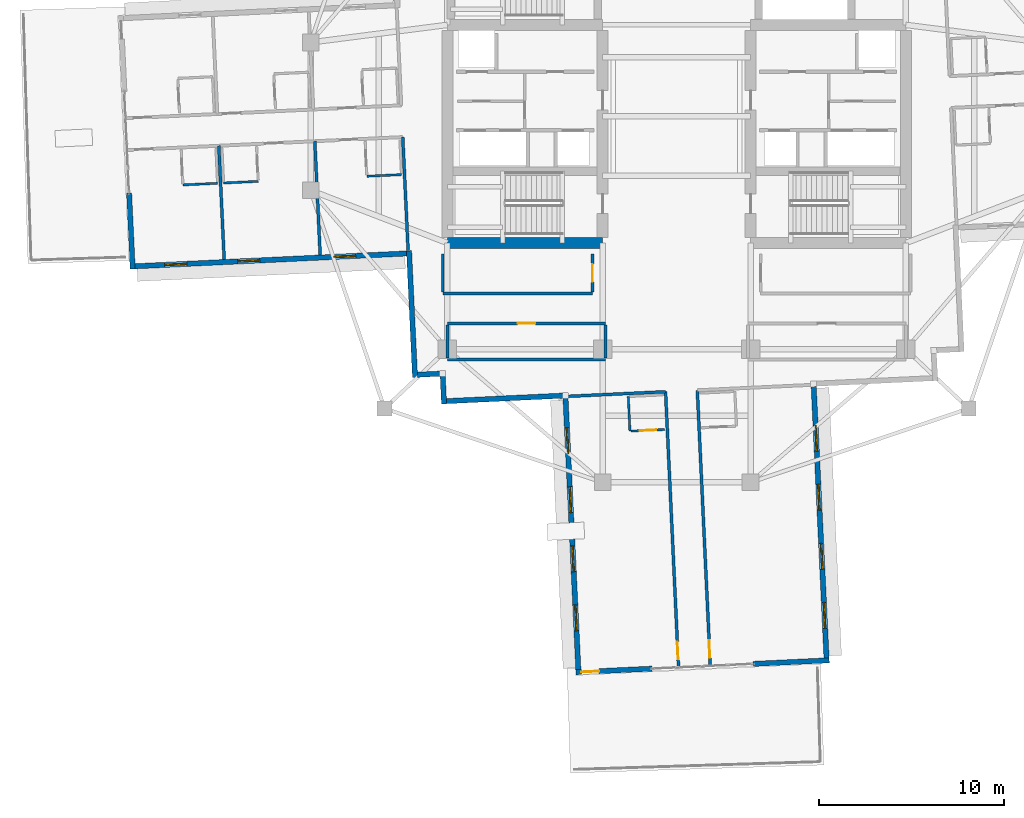
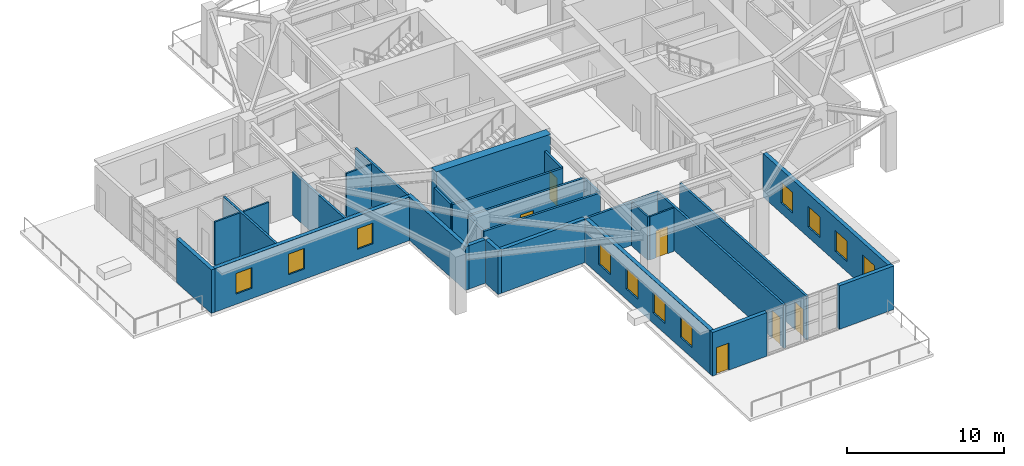
# One storey, part 11 of 22: 29 walls, 11 windows, 6 doors, 17 openings.
"""IFC4 building model written with IfcOpenShell, lengths in metres."""

import ifcopenshell
import ifcopenshell.guid

model = None  # the IFC model being written
_history = None  # IfcOwnerHistory: only IFC2X3 demands one
_inside = {}  # id of a spatial element -> (the spatial element, [elements in it])
_under = {}  # id of a project, library or spatial element -> (it, [spatial elements below it])
_declared = {}  # id of a project -> (the project, [libraries it declares])
_typed = {}  # id of a type object -> (the type object, [elements of that type])
_made_of = {}  # id of a material, layer set ... -> (it, [elements and type objects made of it])


def new_model(schema):
    """Start an empty IFC model of exactly this schema.

    Asked for "IFC4X3", IfcOpenShell would pick the latest addendum, in which some entities
    have other attributes; the version numbers below select the first issue.
    IFC2X3 requires an IfcOwnerHistory on every rooted entity: one is made here for all.
    """
    global model, _history
    if schema == "IFC4X3":
        model = ifcopenshell.file(schema_version=(4, 3, 0, 0))
    else:
        model = ifcopenshell.file(schema=schema)
    _inside.clear()
    _under.clear()
    _declared.clear()
    _typed.clear()
    _made_of.clear()
    _history = None
    if model.schema == "IFC2X3":
        org = make("IfcOrganization", Name="unknown")
        user = make(
            "IfcPersonAndOrganization",
            ThePerson=make("IfcPerson", FamilyName="unknown"),
            TheOrganization=org,
        )
        app = make(
            "IfcApplication",
            ApplicationDeveloper=org,
            Version="unknown",
            ApplicationFullName="unknown",
            ApplicationIdentifier="unknown",
        )
        _history = make(
            "IfcOwnerHistory",
            OwningUser=user,
            OwningApplication=app,
            ChangeAction="ADDED",
            CreationDate=0,
        )
    return model


def make(cls, **values):
    """One entity of the class cls with the attributes given. An attribute that is None is left unset."""
    return model.create_entity(
        cls, **{name: value for name, value in values.items() if value is not None}
    )


def rooted(cls, **values):
    """An entity with a GlobalId (a new one), such as an element, a storey or a relation."""
    return make(cls, GlobalId=ifcopenshell.guid.new(), OwnerHistory=_history, **values)


def si_unit(unit_type, name, prefix=None):
    """IfcSIUnit, for example si_unit("LENGTHUNIT", "METRE", prefix="MILLI")."""
    return make("IfcSIUnit", UnitType=unit_type, Prefix=prefix, Name=name)


def assignment(units):
    """IfcUnitAssignment: the units of a project."""
    return None if units is None else make("IfcUnitAssignment", Units=units)


def point(xyz):
    """IfcCartesianPoint."""
    return None if xyz is None else make("IfcCartesianPoint", Coordinates=xyz)


def direction(xyz):
    """IfcDirection."""
    return None if xyz is None else make("IfcDirection", DirectionRatios=xyz)


def frame(location, z_axis=None, x_axis=None):
    """IfcAxis2Placement3D, a coordinate frame: its origin and axes. An axis left out is left unset."""
    return make(
        "IfcAxis2Placement3D",
        Location=point(location),
        Axis=direction(z_axis),
        RefDirection=direction(x_axis),
    )


def frame_2d(location, x_axis=None):
    """IfcAxis2Placement2D, a coordinate frame in the plane: its origin and x axis."""
    return make(
        "IfcAxis2Placement2D", Location=point(location), RefDirection=direction(x_axis)
    )


def origin():
    """The frame at (0, 0, 0) with its axes left unset."""
    return frame((0.0, 0.0, 0.0))


def place(relative_to, where):
    """IfcLocalPlacement: puts the frame where relative to a parent placement (None: the world)."""
    return make(
        "IfcLocalPlacement", PlacementRelTo=relative_to, RelativePlacement=where
    )


def context(
    kind, dimensions, precision=None, world=None, true_north=None, identifier=None
):
    """IfcGeometricRepresentationContext, for example the 3D "Model" context."""
    return make(
        "IfcGeometricRepresentationContext",
        ContextIdentifier=identifier,
        ContextType=kind,
        CoordinateSpaceDimension=dimensions,
        Precision=precision,
        WorldCoordinateSystem=world,
        TrueNorth=true_north,
    )


def subcontext(parent, identifier, kind, view, scale=None):
    """IfcGeometricRepresentationSubContext, for example "Body" below "Model"."""
    return make(
        "IfcGeometricRepresentationSubContext",
        ContextIdentifier=identifier,
        ContextType=kind,
        ParentContext=parent,
        TargetScale=scale,
        TargetView=view,
    )


def project(units=None, contexts=None):
    """IfcProject with its units and contexts."""
    return rooted(
        "IfcProject",
        Name="project",
        RepresentationContexts=contexts,
        UnitsInContext=assignment(units),
    )


def spatial(cls, under=None, at=None, **own):
    """A site, building, storey or space (cls), placed at a placement, below another one or the project."""
    s = rooted(cls, ObjectPlacement=at, **own)
    if under is not None:
        _under.setdefault(under.id(), (under, []))[1].append(s)
    return s


def profile(cls, at=None, kind="AREA", **sizes):
    """A parametric profile (cls). Its sizes go by their IFC names, for example OverallWidth=200.0."""
    return make(cls, ProfileType=kind, Position=at, **sizes)


def rectangle(**sizes):
    """IfcRectangleProfileDef."""
    return profile("IfcRectangleProfileDef", **sizes)


def extrude(swept, where, along, depth):
    """IfcExtrudedAreaSolid: the profile swept, set in the frame where, extruded along a direction by depth."""
    return make(
        "IfcExtrudedAreaSolid",
        SweptArea=swept,
        Position=where,
        ExtrudedDirection=direction(along),
        Depth=depth,
    )


def shape(context_of_items, identifier, shape_type, items):
    """IfcShapeRepresentation: the items that make up one representation, for example the "Body"."""
    return make(
        "IfcShapeRepresentation",
        ContextOfItems=context_of_items,
        RepresentationIdentifier=identifier,
        RepresentationType=shape_type,
        Items=items,
    )


def material(Name=None, Category=None):
    """IfcMaterial."""
    return make("IfcMaterial", Name=Name, Category=Category)


def layer(
    of_material, thickness, ventilated=None, Name=None, Category=None, Priority=None
):
    """IfcMaterialLayer: one layer of a wall or slab, of a material (None: an air gap)."""
    return make(
        "IfcMaterialLayer",
        Material=of_material,
        LayerThickness=thickness,
        IsVentilated=ventilated,
        Name=Name,
        Category=Category,
        Priority=Priority,
    )


def layer_set(layers, Name=None):
    """IfcMaterialLayerSet."""
    return make("IfcMaterialLayerSet", MaterialLayers=layers, LayerSetName=Name)


def made_of(thing, what):
    """Note that an element or type object is made of a material, layer set ...; save() writes the relation."""
    if what is not None:
        _made_of.setdefault(what.id(), (what, []))[1].append(thing)
    return thing


def type_object(cls, material=None, **own):
    """A type object (cls), such as IfcWallType, which elements share."""
    return made_of(rooted(cls, **own), material)


def element(
    cls,
    number,
    at=None,
    inside=None,
    cuts=None,
    type_object=None,
    material=None,
    context=None,
    identifier="Body",
    shape_type=None,
    held_by="IfcProductDefinitionShape",
    body=None,
    shapes=None,
    **own,
):
    """One element of the class cls, such as IfcWall. Its Tag is "e" and its number.

    at: its placement. inside: the storey or other place that contains it. cuts: it is an
    opening in that element (IfcRelVoidsElement). A single representation is given by context,
    identifier, shape_type and body (its items); several are given by shapes. held_by: the class
    of the entity that holds the representations. save() writes the other relations.
    """
    e = rooted(cls, Tag="e%d" % number, ObjectPlacement=at, **own)
    if body is not None:
        shapes = [shape(context, identifier, shape_type, body)]
    if shapes is not None:
        e.Representation = make(held_by, Representations=shapes)
    if inside is not None:
        _inside.setdefault(inside.id(), (inside, []))[1].append(e)
    if cuts is not None:
        rooted(
            "IfcRelVoidsElement", RelatingBuildingElement=cuts, RelatedOpeningElement=e
        )
    if type_object is not None:
        _typed.setdefault(type_object.id(), (type_object, []))[1].append(e)
    return made_of(e, material)


def fill(opening, filler):
    """IfcRelFillsElement: the door or window that sits in an opening."""
    return rooted(
        "IfcRelFillsElement",
        RelatingOpeningElement=opening,
        RelatedBuildingElement=filler,
    )


def aggregate(whole, parts):
    """IfcRelAggregates: a whole, such as a stair, and the parts it consists of."""
    return rooted("IfcRelAggregates", RelatingObject=whole, RelatedObjects=parts)


def save(model, path):
    """Write the relations noted so far, then the file.

    IfcRelAggregates (storeys below a building ...), IfcRelContainedInSpatialStructure (elements
    in a storey), IfcRelDefinesByType, IfcRelAssociatesMaterial and IfcRelDeclares: one each for
    every whole, place, type object, material and project.
    """
    for whole, parts in _under.values():
        aggregate(whole, parts)
    for where, things in _inside.values():
        rooted(
            "IfcRelContainedInSpatialStructure",
            RelatedElements=things,
            RelatingStructure=where,
        )
    for kind, things in _typed.values():
        rooted("IfcRelDefinesByType", RelatedObjects=things, RelatingType=kind)
    for what, things in _made_of.values():
        rooted("IfcRelAssociatesMaterial", RelatedObjects=things, RelatingMaterial=what)
    for by, libraries in _declared.values():
        rooted("IfcRelDeclares", RelatingContext=by, RelatedDefinitions=libraries)
    model.write(path)


model = new_model("IFC4")

# Units and contexts
model_context = context("Model", 3, precision=1e-05, world=origin(), true_north=direction((0.0, 1.0)))
body_context = subcontext(model_context, "Body", "Model", "MODEL_VIEW")
ifc_project = project(units=[si_unit("LENGTHUNIT", "METRE"), si_unit("AREAUNIT", "SQUARE_METRE"), si_unit("VOLUMEUNIT", "CUBIC_METRE"), si_unit("PLANEANGLEUNIT", "RADIAN"), si_unit("MASSUNIT", "GRAM", prefix="KILO")], contexts=[model_context])

# Site, building, storey
site_placement = place(None, origin())
site = spatial("IfcSite", under=ifc_project, at=site_placement, CompositionType="ELEMENT")
building_placement = place(site_placement, origin())
building = spatial("IfcBuilding", under=site, at=building_placement, Name="Qingluan Cross Belvedere", CompositionType="ELEMENT")
storey_placement = place(building_placement, frame((0.0, 0.0, 196.800048828125)))
storey = spatial("IfcBuildingStorey", under=building, at=storey_placement, Name="L49", CompositionType="ELEMENT", Elevation=196.800048828125)

# Walls
ifc_material_1 = material(Name="Concrete C60", Category="concrete")
ifc_layer_1 = layer(ifc_material_1, 0.60009765625, Name="CoreShearWall_600")
ifc_layer_set_1 = layer_set([ifc_layer_1], Name="Concrete C60")
wall_type_1 = type_object("IfcWallType", Name="CoreShearWall_600", PredefinedType="SHEAR", material=ifc_layer_set_1)
wall_1_placement = place(storey_placement, frame((-12.39990234375, -6.85009765625, 0.0), z_axis=(0.0, 0.0, 1.0), x_axis=(1.0, 0.0, 0.0)))
element("IfcWall", 1, at=wall_1_placement, inside=storey, type_object=wall_type_1, Name="Split core W shear wall L49-S", PredefinedType="SHEAR", context=body_context, shape_type="SweptSolid", body=[
    extrude(rectangle(XDim=8.39990234375, YDim=0.60009765625, at=frame_2d((4.199951171875, 0.0))), origin(), (0.0, 0.0, 1.0), 4.300048828125),
])
ifc_material_2 = material(Name="Gypsum plasterboard on steel stud acoustic partition", Category="steel")
ifc_layer_2 = layer(ifc_material_2, 0.159912109375, Name="CorridorPartition_160")
ifc_layer_set_2 = layer_set([ifc_layer_2], Name="Gypsum plasterboard on steel stud acoustic partition")
wall_type_2 = type_object("IfcWallType", Name="CorridorPartition_160", PredefinedType="PARTITIONING", material=ifc_layer_set_2)
wall_2_placement = place(storey_placement, frame((-12.39990234375, -13.14990234375, 0.0), z_axis=(0.0, 0.0, 1.0), x_axis=(1.0, 0.0, 0.0)))
element("IfcWall", 2, at=wall_2_placement, inside=storey, type_object=wall_type_2, Name="Partition L49:sky_meeting:S", PredefinedType="PARTITIONING", context=body_context, shape_type="SweptSolid", body=[
    extrude(rectangle(XDim=8.5498046875, YDim=0.159912109375, at=frame_2d((4.27490234375, 0.0))), origin(), (0.0, 0.0, 1.0), 3.369873046875),
])

# Wall, opening, door
wall_3_placement = place(storey_placement, frame((-12.39990234375, -11.199951171875, 0.0), z_axis=(0.0, 0.0, 1.0), x_axis=(1.0, 0.0, 0.0)))
wall_3 = element("IfcWall", 3, at=wall_3_placement, inside=storey, type_object=wall_type_2, Name="Partition L49:sky_meeting:N", PredefinedType="PARTITIONING", context=body_context, shape_type="SweptSolid", body=[
    extrude(rectangle(XDim=8.5498046875, YDim=0.159912109375, at=frame_2d((4.27490234375, 0.0))), origin(), (0.0, 0.0, 1.0), 3.369873046875),
])
opening_1_placement = place(wall_3_placement, frame((3.794921875, 0.0, 0.0)))
opening_1 = element("IfcOpeningElement", 4, at=opening_1_placement, cuts=wall_3, Name="Opening GD-10", PredefinedType="OPENING", context=body_context, shape_type="SweptSolid", body=[
    extrude(rectangle(XDim=0.9599609375, YDim=2.14990234375, at=frame_2d((0.47998046875, 1.074951171875))), frame((0.0, 0.08984375, 0.0), z_axis=(0.0, -1.0, 0.0), x_axis=(1.0, 0.0, 0.0)), (0.0, 0.0, 1.0), 0.179931640625),
])
ifc_material_3 = material(Name="Timber oak fire-rated acoustic guestroom door", Category="wood")
door_type_1 = type_object("IfcDoorType", Name="GuestEntryDoor_FD60", OperationType="NOTDEFINED", PredefinedType="DOOR", material=ifc_material_3)
door_1_placement = place(opening_1_placement, origin())
door_1 = element("IfcDoor", 5, at=door_1_placement, inside=storey, type_object=door_type_1, Name="Executive sky boardroom L49 door", OperationType="SINGLE_SWING_LEFT", OverallHeight=2.14990234375, OverallWidth=0.9599609375, PredefinedType="DOOR", context=body_context, shape_type="SweptSolid", body=[
    extrude(rectangle(XDim=0.9599609375, YDim=2.14990234375, at=frame_2d((0.47998046875, 1.074951171875))), frame((0.0, 0.02490234375, 0.0), z_axis=(0.0, -1.0, 0.0), x_axis=(1.0, 0.0, 0.0)), (0.0, 0.0, 1.0), 0.050048828125),
])
fill(opening_1, door_1)

# Walls
for number, where, z_axis, x_axis, name in (
    (6, (-12.39990234375, -13.06494140625, 0.0), (0.0, 0.0, 1.0), (0.0, 1.0, 0.0), "Partition L49:sky_meeting:W"),
    (7, (-3.85009765625, -13.06494140625, 0.0), (0.0, 0.0, 1.0), (0.0, 1.0, 0.0), "Partition L49:sky_meeting:E"),
):
    element("IfcWall", number, at=place(storey_placement, frame(where, z_axis=z_axis, x_axis=x_axis)), inside=storey, type_object=wall_type_2, Name=name, PredefinedType="PARTITIONING", context=body_context, shape_type="SweptSolid", body=[
        extrude(rectangle(XDim=1.780029296875, YDim=0.159912109375, at=frame_2d((0.89013671875, 0.0))), origin(), (0.0, 0.0, 1.0), 3.369873046875),
    ])
wall_4_placement = place(storey_placement, frame((-12.64990234375, -9.580078125, 0.0), z_axis=(0.0, 0.0, 1.0), x_axis=(1.0, 0.0, 0.0)))
element("IfcWall", 8, at=wall_4_placement, inside=storey, type_object=wall_type_2, Name="Partition L49:rec_st4_w:S", PredefinedType="PARTITIONING", context=body_context, shape_type="SweptSolid", body=[
    extrude(rectangle(XDim=8.099853515625, YDim=0.159912109375, at=frame_2d((4.0498046875, 0.0))), origin(), (0.0, 0.0, 1.0), 3.369873046875),
])
wall_5_placement = place(storey_placement, frame((-12.64990234375, -9.4951171875, 0.0), z_axis=(0.0, 0.0, 1.0), x_axis=(0.0, 1.0, 0.0)))
element("IfcWall", 9, at=wall_5_placement, inside=storey, type_object=wall_type_2, Name="Partition L49:rec_st4_w:W", PredefinedType="PARTITIONING", context=body_context, shape_type="SweptSolid", body=[
    extrude(rectangle(XDim=2.06005859375, YDim=0.159912109375, at=frame_2d((1.030029296875, 0.0))), origin(), (0.0, 0.0, 1.0), 3.369873046875),
])

# Wall, opening, door
wall_6_placement = place(storey_placement, frame((-4.550048828125, -9.4951171875, 0.0), z_axis=(0.0, 0.0, 1.0), x_axis=(0.0, 1.0, 0.0)))
wall_6 = element("IfcWall", 10, at=wall_6_placement, inside=storey, type_object=wall_type_2, Name="Partition L49:rec_st4_w:E", PredefinedType="PARTITIONING", context=body_context, shape_type="SweptSolid", body=[
    extrude(rectangle(XDim=2.06005859375, YDim=0.159912109375, at=frame_2d((1.030029296875, 0.0))), origin(), (0.0, 0.0, 1.0), 3.369873046875),
])
opening_2_placement = place(wall_6_placement, frame((0.550048828125, 0.0, 0.0)))
opening_2 = element("IfcOpeningElement", 11, at=opening_2_placement, cuts=wall_6, Name="Opening GD-10", PredefinedType="OPENING", context=body_context, shape_type="SweptSolid", body=[
    extrude(rectangle(XDim=0.9599609375, YDim=2.14990234375, at=frame_2d((0.47998046875, 1.074951171875))), frame((0.0, 0.08984375, 0.0), z_axis=(0.0, -1.0, 0.0), x_axis=(1.0, 0.0, 0.0)), (0.0, 0.0, 1.0), 0.179931640625),
])
door_2_placement = place(opening_2_placement, origin())
door_2 = element("IfcDoor", 12, at=door_2_placement, inside=storey, type_object=door_type_1, Name="Southwest club reading room L49 door", OperationType="SINGLE_SWING_LEFT", OverallHeight=2.14990234375, OverallWidth=0.9599609375, PredefinedType="DOOR", context=body_context, shape_type="SweptSolid", body=[
    extrude(rectangle(XDim=0.9599609375, YDim=2.14990234375, at=frame_2d((0.47998046875, 1.074951171875))), frame((0.0, 0.02490234375, 0.0), z_axis=(0.0, -1.0, 0.0), x_axis=(1.0, 0.0, 0.0)), (0.0, 0.0, 1.0), 0.050048828125),
])
fill(opening_2, door_2)

# Walls
wall_7_placement = place(storey_placement, frame((-14.813720703125, -1.119140625, 0.0), z_axis=(0.0, 0.0, 1.0), x_axis=(0.047105095445, -0.998889938874, 0.0)))
element("IfcWall", 13, at=wall_7_placement, inside=storey, type_object=wall_type_2, Name="Partition L49:W:s1", PredefinedType="PARTITIONING", context=body_context, shape_type="SweptSolid", body=[
    extrude(rectangle(XDim=6.152099609375, YDim=0.159912109375, at=frame_2d((3.076171875, 0.0))), origin(), (0.0, 0.0, 1.0), 3.369873046875),
])
for number, where, z_axis, x_axis, name in (
    (14, (-19.5712890625, -1.343505859375, 0.0), (0.0, 0.0, 1.0), (0.047067364993, -0.998891717431, 0.0), "Partition L49:W:d1_0"),
    (15, (-24.763671875, -1.58837890625, 0.0), (0.0, 0.0, 1.0), (0.04710696277, -0.998889850814, 0.0), "Partition L49:W:d1_1"),
):
    element("IfcWall", number, at=place(storey_placement, frame(where, z_axis=z_axis, x_axis=x_axis)), inside=storey, type_object=wall_type_2, Name=name, PredefinedType="PARTITIONING", context=body_context, shape_type="SweptSolid", body=[
        extrude(rectangle(XDim=6.15185546875, YDim=0.159912109375, at=frame_2d((3.075927734375, 0.0))), origin(), (0.0, 0.0, 1.0), 3.369873046875),
    ])

# Wall, opening, door
wall_8_placement = place(storey_placement, frame((1.119140625, -14.813720703125, 0.0), z_axis=(0.0, 0.0, 1.0), x_axis=(0.047110649891, -0.998889676925, 0.0)))
wall_8 = element("IfcWall", 16, at=wall_8_placement, inside=storey, type_object=wall_type_2, Name="Partition L49:S:c0", PredefinedType="PARTITIONING", context=body_context, shape_type="SweptSolid", body=[
    extrude(rectangle(XDim=14.93017578125, YDim=0.159912109375, at=frame_2d((7.465087890625, 0.0))), origin(), (0.0, 0.0, 1.0), 3.369873046875),
])
opening_3_placement = place(wall_8_placement, frame((13.530029296875, 0.0, 0.0)))
opening_3 = element("IfcOpeningElement", 17, at=opening_3_placement, cuts=wall_8, Name="Opening GD-10", PredefinedType="OPENING", context=body_context, shape_type="SweptSolid", body=[
    extrude(rectangle(XDim=0.9599609375, YDim=2.14990234375, at=frame_2d((0.47998046875, 1.074951171875))), frame((0.0, 0.08984375, 0.0), z_axis=(0.0, -1.0, 0.0), x_axis=(1.0, 0.0, 0.0)), (0.0, 0.0, 1.0), 0.179931640625),
])
door_3_placement = place(opening_3_placement, origin())
door_3 = element("IfcDoor", 18, at=door_3_placement, inside=storey, type_object=door_type_1, Name="Guest entry fire door 4915", OperationType="SINGLE_SWING_RIGHT", OverallHeight=2.14990234375, OverallWidth=0.9599609375, PredefinedType="DOOR", context=body_context, shape_type="SweptSolid", body=[
    extrude(rectangle(XDim=0.9599609375, YDim=2.14990234375, at=frame_2d((0.47998046875, 1.074951171875))), frame((0.0, 0.02490234375, 0.0), z_axis=(0.0, -1.0, 0.0), x_axis=(1.0, 0.0, 0.0)), (0.0, 0.0, 1.0), 0.050048828125),
])
fill(opening_3, door_3)

wall_9_placement = place(storey_placement, frame((-0.59912109375, -14.894775390625, 0.0), z_axis=(0.0, 0.0, 1.0), x_axis=(0.04711141941, -0.998889640632, 0.0)))
wall_9 = element("IfcWall", 19, at=wall_9_placement, inside=storey, type_object=wall_type_2, Name="Partition L49:S:c1", PredefinedType="PARTITIONING", context=body_context, shape_type="SweptSolid", body=[
    extrude(rectangle(XDim=14.929931640625, YDim=0.159912109375, at=frame_2d((7.46484375, 0.0))), origin(), (0.0, 0.0, 1.0), 3.369873046875),
])
opening_4_placement = place(wall_9_placement, frame((13.530029296875, 0.0, 0.0)))
opening_4 = element("IfcOpeningElement", 20, at=opening_4_placement, cuts=wall_9, Name="Opening GD-10", PredefinedType="OPENING", context=body_context, shape_type="SweptSolid", body=[
    extrude(rectangle(XDim=0.9599609375, YDim=2.14990234375, at=frame_2d((0.47998046875, 1.074951171875))), frame((0.0, 0.08984375, 0.0), z_axis=(0.0, -1.0, 0.0), x_axis=(1.0, 0.0, 0.0)), (0.0, 0.0, 1.0), 0.179931640625),
])
door_4_placement = place(opening_4_placement, origin())
door_4 = element("IfcDoor", 21, at=door_4_placement, inside=storey, type_object=door_type_1, Name="Guest entry fire door 4916", OperationType="SINGLE_SWING_RIGHT", OverallHeight=2.14990234375, OverallWidth=0.9599609375, PredefinedType="DOOR", context=body_context, shape_type="SweptSolid", body=[
    extrude(rectangle(XDim=0.9599609375, YDim=2.14990234375, at=frame_2d((0.47998046875, 1.074951171875))), frame((0.0, 0.02490234375, 0.0), z_axis=(0.0, -1.0, 0.0), x_axis=(1.0, 0.0, 0.0)), (0.0, 0.0, 1.0), 0.050048828125),
])
fill(opening_4, door_4)

# Walls
wall_10_placement = place(storey_placement, frame((-0.59912109375, -14.894775390625, 0.0), z_axis=(0.0, 0.0, 1.0), x_axis=(-0.998889337483, -0.047117846539, 0.0)))
element("IfcWall", 22, at=wall_10_placement, inside=storey, type_object=wall_type_2, Name="Partition L49:S:s1", PredefinedType="PARTITIONING", context=body_context, shape_type="SweptSolid", body=[
    extrude(rectangle(XDim=5.419921875, YDim=0.159912109375, at=frame_2d((2.7099609375, 0.0))), origin(), (0.0, 0.0, 1.0), 3.369873046875),
])
ifc_material_4 = material(Name="Moisture-resistant gypsum board lining")
ifc_layer_3 = layer(ifc_material_4, 0.1201171875, Name="EnsuiteWetPartition_120")
ifc_layer_set_3 = layer_set([ifc_layer_3], Name="Moisture-resistant gypsum board lining")
wall_type_3 = type_object("IfcWallType", Name="EnsuiteWetPartition_120", PredefinedType="PARTITIONING", material=ifc_layer_set_3)
for number, where, z_axis, x_axis, name in (
    (23, (-14.878173828125, -3.1494140625, 0.0), (0.0, 0.0, 1.0), (-0.998894425757, -0.04700985207, 0.0), "Partition L49:W:bc1_0"),
    (24, (-22.630615234375, -3.514892578125, 0.0), (0.0, 0.0, 1.0), (-0.998888319371, -0.047139425368, 0.0), "Partition L49:W:bc1_1"),
    (25, (-24.828125, -3.61865234375, 0.0), (0.0, 0.0, 1.0), (-0.998894425757, -0.04700985207, 0.0), "Partition L49:W:bc1_2"),
):
    element("IfcWall", number, at=place(storey_placement, frame(where, z_axis=z_axis, x_axis=x_axis)), inside=storey, type_object=wall_type_3, Name=name, PredefinedType="PARTITIONING", context=body_context, shape_type="SweptSolid", body=[
        extrude(rectangle(XDim=1.880126953125, YDim=0.1201171875, at=frame_2d((0.93994140625, 0.0))), origin(), (0.0, 0.0, 1.0), 3.369873046875),
    ])

# Wall, opening, door
wall_11_placement = place(storey_placement, frame((-2.460693359375, -17.02490234375, 0.0), z_axis=(0.0, 0.0, 1.0), x_axis=(0.998890786574, 0.047087116047, 0.0)))
wall_11 = element("IfcWall", 26, at=wall_11_placement, inside=storey, type_object=wall_type_3, Name="Partition L49:S:bs1_0", PredefinedType="PARTITIONING", context=body_context, shape_type="SweptSolid", body=[
    extrude(rectangle(XDim=1.81982421875, YDim=0.1201171875, at=frame_2d((0.909912109375, 0.0))), origin(), (0.0, 0.0, 1.0), 3.369873046875),
])
opening_5_placement = place(wall_11_placement, frame((0.469970703125, 0.0, 0.0)))
opening_5 = element("IfcOpeningElement", 27, at=opening_5_placement, cuts=wall_11, Name="Opening BD-09", PredefinedType="OPENING", context=body_context, shape_type="SweptSolid", body=[
    extrude(rectangle(XDim=0.8798828125, YDim=2.10009765625, at=frame_2d((0.43994140625, 1.050048828125))), frame((0.0, 0.070068359375, 0.0), z_axis=(0.0, -1.0, 0.0), x_axis=(1.0, 0.0, 0.0)), (0.0, 0.0, 1.0), 0.14013671875),
])
ifc_material_5 = material(Name="Moisture-sealed timber en-suite door", Category="wood")
door_type_2 = type_object("IfcDoorType", Name="BathroomDoor_880", OperationType="NOTDEFINED", PredefinedType="DOOR", material=ifc_material_5)
door_5_placement = place(opening_5_placement, origin())
door_5 = element("IfcDoor", 28, at=door_5_placement, inside=storey, type_object=door_type_2, Name="Bathroom door 4916", OperationType="SINGLE_SWING_LEFT", OverallHeight=2.10009765625, OverallWidth=0.8798828125, PredefinedType="DOOR", context=body_context, shape_type="SweptSolid", body=[
    extrude(rectangle(XDim=0.8798828125, YDim=2.10009765625, at=frame_2d((0.43994140625, 1.050048828125))), frame((0.0, 0.02490234375, 0.0), z_axis=(0.0, -1.0, 0.0), x_axis=(1.0, 0.0, 0.0)), (0.0, 0.0, 1.0), 0.050048828125),
])
fill(opening_5, door_5)

# Wall
wall_12_placement = place(storey_placement, frame((-2.6142578125, -15.14990234375, 0.0), z_axis=(0.0, 0.0, 1.0), x_axis=(0.047139425368, -0.998888319371, 0.0)))
element("IfcWall", 29, at=wall_12_placement, inside=storey, type_object=wall_type_3, Name="Partition L49:S:bc1_0", PredefinedType="PARTITIONING", context=body_context, shape_type="SweptSolid", body=[
    extrude(rectangle(XDim=1.880126953125, YDim=0.1201171875, at=frame_2d((0.93994140625, 0.0))), origin(), (0.0, 0.0, 1.0), 3.369873046875),
])

# Wall, openings, windows
ifc_material_6 = material(Name="Precast concrete C45", Category="concrete")
ifc_layer_4 = layer(ifc_material_6, 0.280029296875, Name="PrecastFacadeWall_280")
ifc_layer_set_4 = layer_set([ifc_layer_4], Name="Precast concrete C45")
wall_type_4 = type_object("IfcWallType", Name="PrecastFacadeWall_280", PredefinedType="STANDARD", material=ifc_layer_set_4)
wall_13_placement = place(storey_placement, frame((-29.29052734375, -8.10888671875, 0.0), z_axis=(0.0, 0.0, 1.0), x_axis=(0.998889342735, 0.047117735191, 0.0)))
wall_13 = element("IfcWall", 30, at=wall_13_placement, inside=storey, type_object=wall_type_4, Name="Facade wall L49-WB", PredefinedType="STANDARD", context=body_context, shape_type="SweptSolid", body=[
    extrude(rectangle(XDim=14.699951171875, YDim=0.280029296875, at=frame_2d((7.35009765625, 0.0))), origin(), (0.0, 0.0, 1.0), 3.3798828125),
])
opening_6_placement = place(wall_13_placement, frame((1.60009765625, 0.0, 0.800048828125)))
opening_6 = element("IfcOpeningElement", 31, at=opening_6_placement, cuts=wall_13, Name="Opening W-02", PredefinedType="OPENING", context=body_context, shape_type="SweptSolid", body=[
    extrude(rectangle(XDim=1.199951171875, YDim=1.60009765625, at=frame_2d((0.60009765625, 0.800048828125))), frame((0.0, 0.14990234375, 0.0), z_axis=(0.0, -1.0, 0.0), x_axis=(1.0, 0.0, 0.0)), (0.0, 0.0, 1.0), 0.300048828125),
])
opening_7_placement = place(wall_13_placement, frame((5.550048828125, 0.0, 0.800048828125)))
opening_7 = element("IfcOpeningElement", 32, at=opening_7_placement, cuts=wall_13, Name="Opening W-02", PredefinedType="OPENING", context=body_context, shape_type="SweptSolid", body=[
    extrude(rectangle(XDim=1.199951171875, YDim=1.60009765625, at=frame_2d((0.60009765625, 0.800048828125))), frame((0.0, 0.14990234375, 0.0), z_axis=(0.0, -1.0, 0.0), x_axis=(1.0, 0.0, 0.0)), (0.0, 0.0, 1.0), 0.300048828125),
])
opening_8_placement = place(wall_13_placement, frame((10.75, 0.0, 0.800048828125)))
opening_8 = element("IfcOpeningElement", 33, at=opening_8_placement, cuts=wall_13, Name="Opening W-02", PredefinedType="OPENING", context=body_context, shape_type="SweptSolid", body=[
    extrude(rectangle(XDim=1.199951171875, YDim=1.60009765625, at=frame_2d((0.60009765625, 0.800048828125))), frame((0.0, 0.14990234375, 0.0), z_axis=(0.0, -1.0, 0.0), x_axis=(1.0, 0.0, 0.0)), (0.0, 0.0, 1.0), 0.300048828125),
])
ifc_material_7 = material(Name="Thermally broken triple Low-E glass in aluminium frame", Category="aluminium")
window_type_1 = type_object("IfcWindowType", Name="TriRibbonWin_1200x1600", PartitioningType="SINGLE_PANEL", PredefinedType="WINDOW", material=ifc_material_7)
window_1_placement = place(opening_6_placement, origin())
window_1 = element("IfcWindow", 34, at=window_1_placement, inside=storey, type_object=window_type_1, Name="Ribbon window L49-WB-1", OverallHeight=1.60009765625, OverallWidth=1.199951171875, PartitioningType="SINGLE_PANEL", PredefinedType="WINDOW", context=body_context, shape_type="SweptSolid", body=[
    extrude(rectangle(XDim=1.199951171875, YDim=1.60009765625, at=frame_2d((0.60009765625, 0.800048828125))), frame((0.0, 0.030029296875, 0.0), z_axis=(0.0, -1.0, 0.0), x_axis=(1.0, 0.0, 0.0)), (0.0, 0.0, 1.0), 0.06005859375),
])
fill(opening_6, window_1)
window_2_placement = place(opening_7_placement, origin())
window_2 = element("IfcWindow", 35, at=window_2_placement, inside=storey, type_object=window_type_1, Name="Ribbon window L49-WB-2", OverallHeight=1.60009765625, OverallWidth=1.199951171875, PartitioningType="SINGLE_PANEL", PredefinedType="WINDOW", context=body_context, shape_type="SweptSolid", body=[
    extrude(rectangle(XDim=1.199951171875, YDim=1.60009765625, at=frame_2d((0.60009765625, 0.800048828125))), frame((0.0, 0.030029296875, 0.0), z_axis=(0.0, -1.0, 0.0), x_axis=(1.0, 0.0, 0.0)), (0.0, 0.0, 1.0), 0.06005859375),
])
fill(opening_7, window_2)
window_3_placement = place(opening_8_placement, origin())
window_3 = element("IfcWindow", 36, at=window_3_placement, inside=storey, type_object=window_type_1, Name="Ribbon window L49-WB-3", OverallHeight=1.60009765625, OverallWidth=1.199951171875, PartitioningType="SINGLE_PANEL", PredefinedType="WINDOW", context=body_context, shape_type="SweptSolid", body=[
    extrude(rectangle(XDim=1.199951171875, YDim=1.60009765625, at=frame_2d((0.60009765625, 0.800048828125))), frame((0.0, 0.030029296875, 0.0), z_axis=(0.0, -1.0, 0.0), x_axis=(1.0, 0.0, 0.0)), (0.0, 0.0, 1.0), 0.06005859375),
])
fill(opening_8, window_3)

# Wall
wall_14_placement = place(storey_placement, frame((-29.61767578125, -4.143798828125, 0.0), z_axis=(0.0, 0.0, 1.0), x_axis=(0.047097322001, -0.998890305419, 0.0)))
element("IfcWall", 37, at=wall_14_placement, inside=storey, type_object=wall_type_4, Name="Terrace portal jamb wall L49-W2", PredefinedType="STANDARD", context=body_context, shape_type="SweptSolid", body=[
    extrude(rectangle(XDim=4.115966796875, YDim=0.280029296875, at=frame_2d((2.05810546875, 0.0))), origin(), (0.0, 0.0, 1.0), 3.3798828125),
])

# Wall, openings, windows
wall_15_placement = place(storey_placement, frame((-6.0087890625, -15.239990234375, 0.0), z_axis=(0.0, 0.0, 1.0), x_axis=(0.047101163748, -0.998890124275, 0.0)))
wall_15 = element("IfcWall", 38, at=wall_15_placement, inside=storey, type_object=wall_type_4, Name="Facade wall L49-SA", PredefinedType="STANDARD", context=body_context, shape_type="SweptSolid", body=[
    extrude(rectangle(XDim=14.699951171875, YDim=0.280029296875, at=frame_2d((7.35009765625, 0.0))), origin(), (0.0, 0.0, 1.0), 3.3798828125),
])
opening_9_placement = place(wall_15_placement, frame((1.60009765625, 0.0, 0.800048828125)))
opening_9 = element("IfcOpeningElement", 39, at=opening_9_placement, cuts=wall_15, Name="Opening W-01", PredefinedType="OPENING", context=body_context, shape_type="SweptSolid", body=[
    extrude(rectangle(XDim=1.39990234375, YDim=1.60009765625, at=frame_2d((0.699951171875, 0.800048828125))), frame((0.0, 0.14990234375, 0.0), z_axis=(0.0, -1.0, 0.0), x_axis=(1.0, 0.0, 0.0)), (0.0, 0.0, 1.0), 0.300048828125),
])
opening_10_placement = place(wall_15_placement, frame((4.800048828125, 0.0, 0.800048828125)))
opening_10 = element("IfcOpeningElement", 40, at=opening_10_placement, cuts=wall_15, Name="Opening W-01", PredefinedType="OPENING", context=body_context, shape_type="SweptSolid", body=[
    extrude(rectangle(XDim=1.39990234375, YDim=1.60009765625, at=frame_2d((0.699951171875, 0.800048828125))), frame((0.0, 0.14990234375, 0.0), z_axis=(0.0, -1.0, 0.0), x_axis=(1.0, 0.0, 0.0)), (0.0, 0.0, 1.0), 0.300048828125),
])
opening_11_placement = place(wall_15_placement, frame((8.0, 0.0, 0.800048828125)))
opening_11 = element("IfcOpeningElement", 41, at=opening_11_placement, cuts=wall_15, Name="Opening W-01", PredefinedType="OPENING", context=body_context, shape_type="SweptSolid", body=[
    extrude(rectangle(XDim=1.39990234375, YDim=1.60009765625, at=frame_2d((0.699951171875, 0.800048828125))), frame((0.0, 0.14990234375, 0.0), z_axis=(0.0, -1.0, 0.0), x_axis=(1.0, 0.0, 0.0)), (0.0, 0.0, 1.0), 0.300048828125),
])
opening_12_placement = place(wall_15_placement, frame((11.199951171875, 0.0, 0.800048828125)))
opening_12 = element("IfcOpeningElement", 42, at=opening_12_placement, cuts=wall_15, Name="Opening W-01", PredefinedType="OPENING", context=body_context, shape_type="SweptSolid", body=[
    extrude(rectangle(XDim=1.39990234375, YDim=1.60009765625, at=frame_2d((0.699951171875, 0.800048828125))), frame((0.0, 0.14990234375, 0.0), z_axis=(0.0, -1.0, 0.0), x_axis=(1.0, 0.0, 0.0)), (0.0, 0.0, 1.0), 0.300048828125),
])
ifc_material_8 = material(Name="Thermally broken triple Low-E glass in aluminium frame", Category="aluminium")
window_type_2 = type_object("IfcWindowType", Name="TriRibbonWin_1400x1600", PartitioningType="SINGLE_PANEL", PredefinedType="WINDOW", material=ifc_material_8)
window_4_placement = place(opening_9_placement, origin())
window_4 = element("IfcWindow", 43, at=window_4_placement, inside=storey, type_object=window_type_2, Name="Ribbon window L49-SA-1", OverallHeight=1.60009765625, OverallWidth=1.39990234375, PartitioningType="SINGLE_PANEL", PredefinedType="WINDOW", context=body_context, shape_type="SweptSolid", body=[
    extrude(rectangle(XDim=1.39990234375, YDim=1.60009765625, at=frame_2d((0.699951171875, 0.800048828125))), frame((0.0, 0.030029296875, 0.0), z_axis=(0.0, -1.0, 0.0), x_axis=(1.0, 0.0, 0.0)), (0.0, 0.0, 1.0), 0.06005859375),
])
fill(opening_9, window_4)
window_5_placement = place(opening_10_placement, origin())
window_5 = element("IfcWindow", 44, at=window_5_placement, inside=storey, type_object=window_type_2, Name="Ribbon window L49-SA-2", OverallHeight=1.60009765625, OverallWidth=1.39990234375, PartitioningType="SINGLE_PANEL", PredefinedType="WINDOW", context=body_context, shape_type="SweptSolid", body=[
    extrude(rectangle(XDim=1.39990234375, YDim=1.60009765625, at=frame_2d((0.699951171875, 0.800048828125))), frame((0.0, 0.030029296875, 0.0), z_axis=(0.0, -1.0, 0.0), x_axis=(1.0, 0.0, 0.0)), (0.0, 0.0, 1.0), 0.06005859375),
])
fill(opening_10, window_5)
window_6_placement = place(opening_11_placement, origin())
window_6 = element("IfcWindow", 45, at=window_6_placement, inside=storey, type_object=window_type_2, Name="Ribbon window L49-SA-3", OverallHeight=1.60009765625, OverallWidth=1.39990234375, PartitioningType="SINGLE_PANEL", PredefinedType="WINDOW", context=body_context, shape_type="SweptSolid", body=[
    extrude(rectangle(XDim=1.39990234375, YDim=1.60009765625, at=frame_2d((0.699951171875, 0.800048828125))), frame((0.0, 0.030029296875, 0.0), z_axis=(0.0, -1.0, 0.0), x_axis=(1.0, 0.0, 0.0)), (0.0, 0.0, 1.0), 0.06005859375),
])
fill(opening_11, window_6)
window_7_placement = place(opening_12_placement, origin())
window_7 = element("IfcWindow", 46, at=window_7_placement, inside=storey, type_object=window_type_2, Name="Ribbon window L49-SA-4", OverallHeight=1.60009765625, OverallWidth=1.39990234375, PartitioningType="SINGLE_PANEL", PredefinedType="WINDOW", context=body_context, shape_type="SweptSolid", body=[
    extrude(rectangle(XDim=1.39990234375, YDim=1.60009765625, at=frame_2d((0.699951171875, 0.800048828125))), frame((0.0, 0.030029296875, 0.0), z_axis=(0.0, -1.0, 0.0), x_axis=(1.0, 0.0, 0.0)), (0.0, 0.0, 1.0), 0.06005859375),
])
fill(opening_12, window_7)

wall_16_placement = place(storey_placement, frame((8.10888671875, -29.29052734375, 0.0), z_axis=(0.0, 0.0, 1.0), x_axis=(-0.047117735191, 0.998889342735, 0.0)))
wall_16 = element("IfcWall", 47, at=wall_16_placement, inside=storey, type_object=wall_type_4, Name="Facade wall L49-SB", PredefinedType="STANDARD", context=body_context, shape_type="SweptSolid", body=[
    extrude(rectangle(XDim=14.699951171875, YDim=0.280029296875, at=frame_2d((7.35009765625, 0.0))), origin(), (0.0, 0.0, 1.0), 3.3798828125),
])
opening_13_placement = place(wall_16_placement, frame((1.60009765625, 0.0, 0.800048828125)))
opening_13 = element("IfcOpeningElement", 48, at=opening_13_placement, cuts=wall_16, Name="Opening W-01", PredefinedType="OPENING", context=body_context, shape_type="SweptSolid", body=[
    extrude(rectangle(XDim=1.39990234375, YDim=1.60009765625, at=frame_2d((0.699951171875, 0.800048828125))), frame((0.0, 0.14990234375, 0.0), z_axis=(0.0, -1.0, 0.0), x_axis=(1.0, 0.0, 0.0)), (0.0, 0.0, 1.0), 0.300048828125),
])
opening_14_placement = place(wall_16_placement, frame((4.800048828125, 0.0, 0.800048828125)))
opening_14 = element("IfcOpeningElement", 49, at=opening_14_placement, cuts=wall_16, Name="Opening W-01", PredefinedType="OPENING", context=body_context, shape_type="SweptSolid", body=[
    extrude(rectangle(XDim=1.39990234375, YDim=1.60009765625, at=frame_2d((0.699951171875, 0.800048828125))), frame((0.0, 0.14990234375, 0.0), z_axis=(0.0, -1.0, 0.0), x_axis=(1.0, 0.0, 0.0)), (0.0, 0.0, 1.0), 0.300048828125),
])
opening_15_placement = place(wall_16_placement, frame((8.0, 0.0, 0.800048828125)))
opening_15 = element("IfcOpeningElement", 50, at=opening_15_placement, cuts=wall_16, Name="Opening W-01", PredefinedType="OPENING", context=body_context, shape_type="SweptSolid", body=[
    extrude(rectangle(XDim=1.39990234375, YDim=1.60009765625, at=frame_2d((0.699951171875, 0.800048828125))), frame((0.0, 0.14990234375, 0.0), z_axis=(0.0, -1.0, 0.0), x_axis=(1.0, 0.0, 0.0)), (0.0, 0.0, 1.0), 0.300048828125),
])
opening_16_placement = place(wall_16_placement, frame((11.199951171875, 0.0, 0.800048828125)))
opening_16 = element("IfcOpeningElement", 51, at=opening_16_placement, cuts=wall_16, Name="Opening W-01", PredefinedType="OPENING", context=body_context, shape_type="SweptSolid", body=[
    extrude(rectangle(XDim=1.39990234375, YDim=1.60009765625, at=frame_2d((0.699951171875, 0.800048828125))), frame((0.0, 0.14990234375, 0.0), z_axis=(0.0, -1.0, 0.0), x_axis=(1.0, 0.0, 0.0)), (0.0, 0.0, 1.0), 0.300048828125),
])
window_8_placement = place(opening_13_placement, origin())
window_8 = element("IfcWindow", 52, at=window_8_placement, inside=storey, type_object=window_type_2, Name="Ribbon window L49-SB-1", OverallHeight=1.60009765625, OverallWidth=1.39990234375, PartitioningType="SINGLE_PANEL", PredefinedType="WINDOW", context=body_context, shape_type="SweptSolid", body=[
    extrude(rectangle(XDim=1.39990234375, YDim=1.60009765625, at=frame_2d((0.699951171875, 0.800048828125))), frame((0.0, 0.030029296875, 0.0), z_axis=(0.0, -1.0, 0.0), x_axis=(1.0, 0.0, 0.0)), (0.0, 0.0, 1.0), 0.06005859375),
])
fill(opening_13, window_8)
window_9_placement = place(opening_14_placement, origin())
window_9 = element("IfcWindow", 53, at=window_9_placement, inside=storey, type_object=window_type_2, Name="Ribbon window L49-SB-2", OverallHeight=1.60009765625, OverallWidth=1.39990234375, PartitioningType="SINGLE_PANEL", PredefinedType="WINDOW", context=body_context, shape_type="SweptSolid", body=[
    extrude(rectangle(XDim=1.39990234375, YDim=1.60009765625, at=frame_2d((0.699951171875, 0.800048828125))), frame((0.0, 0.030029296875, 0.0), z_axis=(0.0, -1.0, 0.0), x_axis=(1.0, 0.0, 0.0)), (0.0, 0.0, 1.0), 0.06005859375),
])
fill(opening_14, window_9)
window_10_placement = place(opening_15_placement, origin())
window_10 = element("IfcWindow", 54, at=window_10_placement, inside=storey, type_object=window_type_2, Name="Ribbon window L49-SB-3", OverallHeight=1.60009765625, OverallWidth=1.39990234375, PartitioningType="SINGLE_PANEL", PredefinedType="WINDOW", context=body_context, shape_type="SweptSolid", body=[
    extrude(rectangle(XDim=1.39990234375, YDim=1.60009765625, at=frame_2d((0.699951171875, 0.800048828125))), frame((0.0, 0.030029296875, 0.0), z_axis=(0.0, -1.0, 0.0), x_axis=(1.0, 0.0, 0.0)), (0.0, 0.0, 1.0), 0.06005859375),
])
fill(opening_15, window_10)
window_11_placement = place(opening_16_placement, origin())
window_11 = element("IfcWindow", 55, at=window_11_placement, inside=storey, type_object=window_type_2, Name="Ribbon window L49-SB-4", OverallHeight=1.60009765625, OverallWidth=1.39990234375, PartitioningType="SINGLE_PANEL", PredefinedType="WINDOW", context=body_context, shape_type="SweptSolid", body=[
    extrude(rectangle(XDim=1.39990234375, YDim=1.60009765625, at=frame_2d((0.699951171875, 0.800048828125))), frame((0.0, 0.030029296875, 0.0), z_axis=(0.0, -1.0, 0.0), x_axis=(1.0, 0.0, 0.0)), (0.0, 0.0, 1.0), 0.06005859375),
])
fill(opening_16, window_11)

# Wall, opening, door
wall_17_placement = place(storey_placement, frame((-5.44970703125, -30.070068359375, 0.0), z_axis=(0.0, 0.0, 1.0), x_axis=(0.998890436981, 0.047094531617, 0.0)))
wall_17 = element("IfcWall", 56, at=wall_17_placement, inside=storey, type_object=wall_type_4, Name="Terrace portal jamb wall L49-S1", PredefinedType="STANDARD", context=body_context, shape_type="SweptSolid", body=[
    extrude(rectangle(XDim=4.1162109375, YDim=0.280029296875, at=frame_2d((2.05810546875, 0.0))), origin(), (0.0, 0.0, 1.0), 3.3798828125),
])
opening_17_placement = place(wall_17_placement, frame((0.300048828125, 0.0, 0.0)))
opening_17 = element("IfcOpeningElement", 57, at=opening_17_placement, cuts=wall_17, Name="Opening TD-10", PredefinedType="OPENING", context=body_context, shape_type="SweptSolid", body=[
    extrude(rectangle(XDim=0.9599609375, YDim=2.10009765625, at=frame_2d((0.47998046875, 1.050048828125))), frame((0.0, 0.14990234375, 0.0), z_axis=(0.0, -1.0, 0.0), x_axis=(1.0, 0.0, 0.0)), (0.0, 0.0, 1.0), 0.300048828125),
])
ifc_material_9 = material(Name="Thermally broken aluminium and Low-E glass", Category="aluminium")
door_type_3 = type_object("IfcDoorType", Name="SetbackTerraceDoor_096", OperationType="NOTDEFINED", PredefinedType="DOOR", material=ifc_material_9)
door_6_placement = place(opening_17_placement, origin())
door_6 = element("IfcDoor", 58, at=door_6_placement, inside=storey, type_object=door_type_3, Name="Outdoor terrace access door L49-set2", OperationType="SINGLE_SWING_RIGHT", OverallHeight=2.10009765625, OverallWidth=0.9599609375, PredefinedType="DOOR", context=body_context, shape_type="SweptSolid", body=[
    extrude(rectangle(XDim=0.9599609375, YDim=2.10009765625, at=frame_2d((0.47998046875, 1.050048828125))), frame((0.0, 0.02490234375, 0.0), z_axis=(0.0, -1.0, 0.0), x_axis=(1.0, 0.0, 0.0)), (0.0, 0.0, 1.0), 0.050048828125),
])
fill(opening_17, door_6)

# Walls
wall_18_placement = place(storey_placement, frame((4.143798828125, -29.61767578125, 0.0), z_axis=(0.0, 0.0, 1.0), x_axis=(0.998890305419, 0.047097322001, 0.0)))
element("IfcWall", 59, at=wall_18_placement, inside=storey, type_object=wall_type_4, Name="Terrace portal jamb wall L49-S2", PredefinedType="STANDARD", context=body_context, shape_type="SweptSolid", body=[
    extrude(rectangle(XDim=4.115966796875, YDim=0.280029296875, at=frame_2d((2.05810546875, 0.0))), origin(), (0.0, 0.0, 1.0), 3.3798828125),
])
wall_19_placement = place(storey_placement, frame((-14.4736328125, -7.27001953125, 0.0), z_axis=(0.0, 0.0, 1.0), x_axis=(0.04712043756, -0.998889215261, 0.0)))
element("IfcWall", 60, at=wall_19_placement, inside=storey, type_object=wall_type_4, Name="Corner wall L49-SW1", PredefinedType="STANDARD", context=body_context, shape_type="SweptSolid", body=[
    extrude(rectangle(XDim=6.85986328125, YDim=0.280029296875, at=frame_2d((3.429931640625, 0.0))), origin(), (0.0, 0.0, 1.0), 3.3798828125),
])
wall_20_placement = place(storey_placement, frame((-14.01708984375, -13.975830078125, 0.0), z_axis=(0.0, 0.0, 1.0), x_axis=(0.998883930236, 0.047232339719, 0.0)))
element("IfcWall", 61, at=wall_20_placement, inside=storey, type_object=wall_type_4, Name="Corner wall L49-SW2", PredefinedType="STANDARD", context=body_context, shape_type="SweptSolid", body=[
    extrude(rectangle(XDim=1.219970703125, YDim=0.280029296875, at=frame_2d((0.60986328125, 0.0))), origin(), (0.0, 0.0, 1.0), 3.3798828125),
])
wall_21_placement = place(storey_placement, frame((-12.652099609375, -14.051513671875, 0.0), z_axis=(0.0, 0.0, 1.0), x_axis=(0.047039284441, -0.99889304018, 0.0)))
element("IfcWall", 62, at=wall_21_placement, inside=storey, type_object=wall_type_4, Name="Corner wall L49-SW3", PredefinedType="STANDARD", context=body_context, shape_type="SweptSolid", body=[
    extrude(rectangle(XDim=1.5, YDim=0.280029296875, at=frame_2d((0.75, 0.0))), origin(), (0.0, 0.0, 1.0), 3.3798828125),
])
wall_22_placement = place(storey_placement, frame((-12.4482421875, -15.403564453125, 0.0), z_axis=(0.0, 0.0, 1.0), x_axis=(0.998889082162, 0.047123258997, 0.0)))
element("IfcWall", 63, at=wall_22_placement, inside=storey, type_object=wall_type_4, Name="Corner wall L49-SW4", PredefinedType="STANDARD", context=body_context, shape_type="SweptSolid", body=[
    extrude(rectangle(XDim=6.300048828125, YDim=0.280029296875, at=frame_2d((3.14990234375, 0.0))), origin(), (0.0, 0.0, 1.0), 3.3798828125),
])

save(model, "model.ifc")
